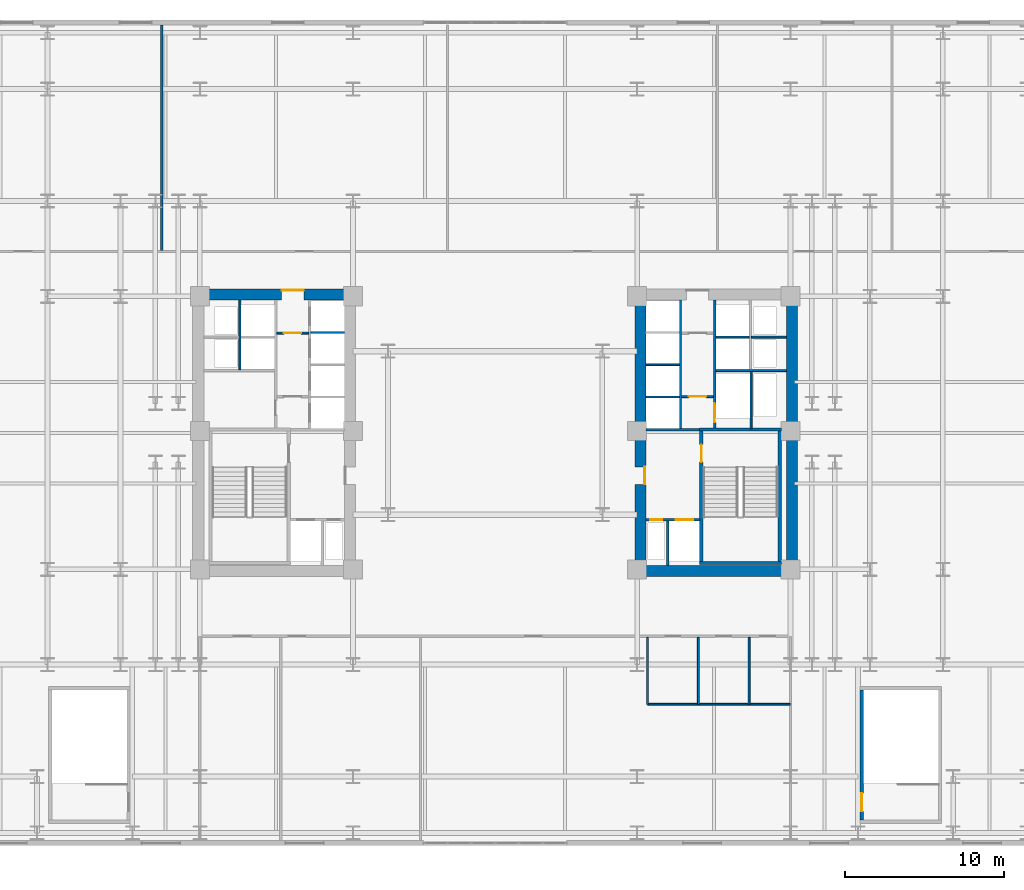
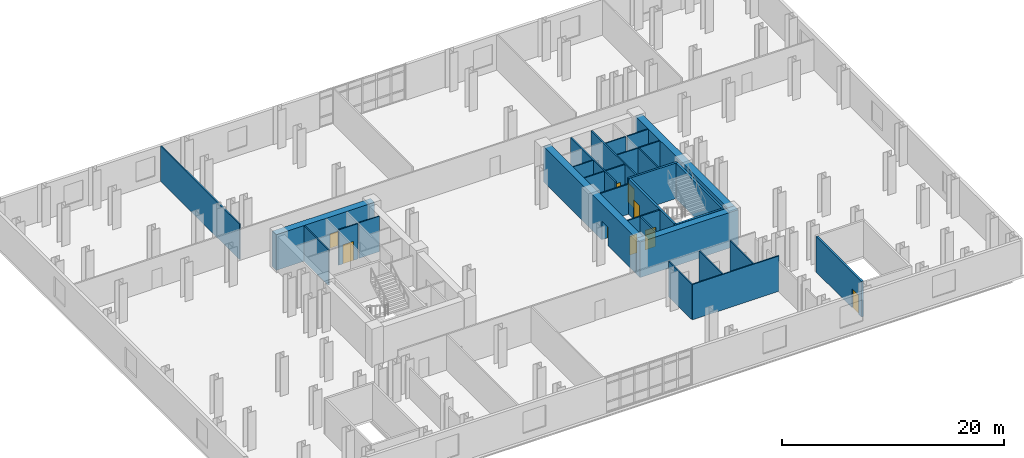
# One storey, part 9 of 13: 29 walls, 9 doors, 9 openings.
"""IFC4 building model written with IfcOpenShell, lengths in metres."""

from ifc_helpers import new_model, si_unit, direction, frame, frame_2d, origin, place, context, subcontext, project, spatial, rectangle, extrude, material, layer, layer_set, type_object, element, fill, save


model = new_model("IFC4")

# Units and contexts
model_context = context("Model", 3, precision=1e-05, world=origin(), true_north=direction((0.0, 1.0)))
body_context = subcontext(model_context, "Body", "Model", "MODEL_VIEW")
ifc_project = project(units=[si_unit("LENGTHUNIT", "METRE"), si_unit("AREAUNIT", "SQUARE_METRE"), si_unit("VOLUMEUNIT", "CUBIC_METRE"), si_unit("PLANEANGLEUNIT", "RADIAN"), si_unit("MASSUNIT", "GRAM", prefix="KILO")], contexts=[model_context])

# Site, building, storey
site_placement = place(None, origin())
site = spatial("IfcSite", under=ifc_project, at=site_placement, CompositionType="ELEMENT")
building_placement = place(site_placement, origin())
building = spatial("IfcBuilding", under=site, at=building_placement, Name="Velakula Bourse", CompositionType="ELEMENT")
storey_placement = place(building_placement, frame((0.0, 0.0, 22.800048828125)))
storey = spatial("IfcBuildingStorey", under=building, at=storey_placement, Name="L05", CompositionType="ELEMENT", Elevation=22.800048828125)

# Wall, opening, door
ifc_material_1 = material(Name="Concrete M50 (fck 50 MPa)", Category="concrete")
ifc_layer_1 = layer(ifc_material_1, 0.2099609375, Name="Concrete M50 (fck 50 MPa)", Category="concrete")
ifc_layer_set_1 = layer_set([ifc_layer_1], Name="Concrete M50 (fck 50 MPa)")
wall_type_1 = type_object("IfcWallType", Name="WL-CORE-210", PredefinedType="SHEAR", material=ifc_layer_set_1)
wall_1_placement = place(storey_placement, frame((12.9951171875, -8.10009765625, 0.0), z_axis=(0.0, 0.0, 1.0), x_axis=(0.0, 1.0, 0.0)))
wall_1 = element("IfcWall", 1, at=wall_1_placement, inside=storey, type_object=wall_type_1, Name="L05 Core E Stairwell Shear Wall IN", PredefinedType="SHEAR", context=body_context, shape_type="SweptSolid", body=[
    extrude(rectangle(XDim=8.2001953125, YDim=0.2099609375, at=frame_2d((4.10009765625, 0.0))), origin(), (0.0, 0.0, 1.0), 3.919921875),
])
opening_1_placement = place(wall_1_placement, frame((6.25, 0.0, 0.0)))
opening_1 = element("IfcOpeningElement", 2, at=opening_1_placement, cuts=wall_1, Name="Opening D-STE1", PredefinedType="OPENING", context=body_context, shape_type="SweptSolid", body=[
    extrude(rectangle(XDim=1.10009765625, YDim=2.14990234375, at=frame_2d((0.550048828125, 1.074951171875))), frame((0.0, 0.114990234375, 0.0), z_axis=(0.0, -1.0, 0.0), x_axis=(1.0, 0.0, 0.0)), (0.0, 0.0, 1.0), 0.22998046875),
])
ifc_material_2 = material(Name="Galvanised painted hollow steel fire door", Category="steel")
door_type_1 = type_object("IfcDoorType", Name="DR-FD120-1100x2150", OperationType="NOTDEFINED", PredefinedType="DOOR", material=ifc_material_2)
door_1_placement = place(opening_1_placement, origin())
door_1 = element("IfcDoor", 3, at=door_1_placement, inside=storey, type_object=door_type_1, Name="L05 Stair ST-E1 Fire Door", OperationType="SINGLE_SWING_RIGHT", OverallHeight=2.14990234375, OverallWidth=1.10009765625, PredefinedType="DOOR", context=body_context, shape_type="SweptSolid", body=[
    extrude(rectangle(XDim=1.10009765625, YDim=2.14990234375, at=frame_2d((0.550048828125, 1.074951171875))), frame((0.0, 0.02490234375, 0.0), z_axis=(0.0, -1.0, 0.0), x_axis=(1.0, 0.0, 0.0)), (0.0, 0.0, 1.0), 0.050048828125),
])
fill(opening_1, door_1)

# Walls
wall_2_placement = place(storey_placement, frame((17.925048828125, -8.10009765625, 0.0), z_axis=(0.0, 0.0, 1.0), x_axis=(0.0, 1.0, 0.0)))
element("IfcWall", 4, at=wall_2_placement, inside=storey, type_object=wall_type_1, Name="L05 Core E Stairwell Shear Wall OUT", PredefinedType="SHEAR", context=body_context, shape_type="SweptSolid", body=[
    extrude(rectangle(XDim=8.2001953125, YDim=0.2099609375, at=frame_2d((4.10009765625, 0.0))), origin(), (0.0, 0.0, 1.0), 3.919921875),
])
for number, where, z_axis, x_axis, name in (
    (5, (12.889892578125, -8.205078125, 0.0), (0.0, 0.0, 1.0), (1.0, 0.0, 0.0), "L05 Core E Stairwell Shear Wall S"),
    (6, (18.030029296875, 0.205078125, 0.0), (0.0, 0.0, 1.0), (-1.0, 0.0, 0.0), "L05 Core E Stairwell Shear Wall N"),
):
    element("IfcWall", number, at=place(storey_placement, frame(where, z_axis=z_axis, x_axis=x_axis)), inside=storey, type_object=wall_type_1, Name=name, PredefinedType="SHEAR", context=body_context, shape_type="SweptSolid", body=[
        extrude(rectangle(XDim=5.14013671875, YDim=0.2099609375, at=frame_2d((2.570068359375, 0.0))), origin(), (0.0, 0.0, 1.0), 3.919921875),
    ])

# Wall, opening, door
wall_3_placement = place(storey_placement, frame((23.094970703125, -24.39990234375, 0.0), z_axis=(0.0, 0.0, 1.0), x_axis=(0.0, 1.0, 0.0)))
wall_3 = element("IfcWall", 7, at=wall_3_placement, inside=storey, type_object=wall_type_1, Name="L05 Podium Stair ST-P2 Shear Wall W", PredefinedType="SHEAR", context=body_context, shape_type="SweptSolid", body=[
    extrude(rectangle(XDim=8.199951171875, YDim=0.2099609375, at=frame_2d((4.10009765625, 0.0))), origin(), (0.0, 0.0, 1.0), 3.919921875),
])
opening_2_placement = place(wall_3_placement, frame((0.550048828125, 0.0, 0.0)))
opening_2 = element("IfcOpeningElement", 8, at=opening_2_placement, cuts=wall_3, Name="Opening D-P2", PredefinedType="OPENING", context=body_context, shape_type="SweptSolid", body=[
    extrude(rectangle(XDim=1.14990234375, YDim=2.10009765625, at=frame_2d((0.574951171875, 1.050048828125))), frame((0.0, 0.114990234375, 0.0), z_axis=(0.0, -1.0, 0.0), x_axis=(1.0, 0.0, 0.0)), (0.0, 0.0, 1.0), 0.22998046875),
])
door_type_2 = type_object("IfcDoorType", Name="DR-FD120-1150x2100", OperationType="NOTDEFINED", PredefinedType="DOOR", material=ifc_material_2)
door_2_placement = place(opening_2_placement, origin())
door_2 = element("IfcDoor", 9, at=door_2_placement, inside=storey, type_object=door_type_2, Name="L05 Stair ST-P2 Fire Door", OperationType="SINGLE_SWING_RIGHT", OverallHeight=2.10009765625, OverallWidth=1.14990234375, PredefinedType="DOOR", context=body_context, shape_type="SweptSolid", body=[
    extrude(rectangle(XDim=1.14990234375, YDim=2.10009765625, at=frame_2d((0.574951171875, 1.050048828125))), frame((0.0, 0.02490234375, 0.0), z_axis=(0.0, -1.0, 0.0), x_axis=(1.0, 0.0, 0.0)), (0.0, 0.0, 1.0), 0.050048828125),
])
fill(opening_2, door_2)

ifc_material_3 = material(Name="Concrete M70 (fck 70 MPa)", Category="concrete")
ifc_layer_2 = layer(ifc_material_3, 0.699951171875, Name="Concrete M70 (fck 70 MPa)", Category="concrete")
ifc_layer_set_2 = layer_set([ifc_layer_2], Name="Concrete M70 (fck 70 MPa)")
wall_type_2 = type_object("IfcWallType", Name="WL-CORE-700", PredefinedType="SHEAR", material=ifc_layer_set_2)
wall_4_placement = place(storey_placement, frame((-19.050048828125, 8.699951171875, 0.0), z_axis=(0.0, 0.0, 1.0), x_axis=(1.0, 0.0, 0.0)))
wall_4 = element("IfcWall", 10, at=wall_4_placement, inside=storey, type_object=wall_type_2, Name="L05 Core W Shear Wall N", PredefinedType="SHEAR", context=body_context, shape_type="SweptSolid", body=[
    extrude(rectangle(XDim=10.25, YDim=0.699951171875, at=frame_2d((5.125, 0.0))), origin(), (0.0, 0.0, 1.0), 3.919921875),
])
opening_3_placement = place(wall_4_placement, frame((5.60009765625, 0.0, 0.0)))
opening_3 = element("IfcOpeningElement", 11, at=opening_3_placement, cuts=wall_4, Name="Opening D-LLW", PredefinedType="OPENING", context=body_context, shape_type="SweptSolid", body=[
    extrude(rectangle(XDim=1.39990234375, YDim=2.050048828125, at=frame_2d((0.699951171875, 1.02490234375))), frame((0.0, 0.35986328125, 0.0), z_axis=(0.0, -1.0, 0.0), x_axis=(1.0, 0.0, 0.0)), (0.0, 0.0, 1.0), 0.719970703125),
])
ifc_material_4 = material(Name="Fire-rated hardwood flush architectural door", Category="wood")
door_type_3 = type_object("IfcDoorType", Name="DR-DBL-FD60-1400", OperationType="DOUBLE_DOOR_SINGLE_SWING", PredefinedType="DOOR", material=ifc_material_4)
door_3_placement = place(opening_3_placement, origin())
door_3 = element("IfcDoor", 12, at=door_3_placement, inside=storey, type_object=door_type_3, Name="L05 Core W Lift Lobby Corridor Double Door", OperationType="DOUBLE_DOOR_SINGLE_SWING", OverallHeight=2.050048828125, OverallWidth=1.39990234375, PredefinedType="DOOR", context=body_context, shape_type="SweptSolid", body=[
    extrude(rectangle(XDim=1.39990234375, YDim=2.050048828125, at=frame_2d((0.699951171875, 1.02490234375))), frame((0.0, 0.294921875, 0.0), z_axis=(0.0, -1.0, 0.0), x_axis=(1.0, 0.0, 0.0)), (0.0, 0.0, 1.0), 0.050048828125),
])
fill(opening_3, door_3)

# Wall
wall_5_placement = place(storey_placement, frame((8.800048828125, -8.699951171875, 0.0), z_axis=(0.0, 0.0, 1.0), x_axis=(1.0, 0.0, 0.0)))
element("IfcWall", 13, at=wall_5_placement, inside=storey, type_object=wall_type_2, Name="L05 Core E Shear Wall S", PredefinedType="SHEAR", context=body_context, shape_type="SweptSolid", body=[
    extrude(rectangle(XDim=10.25, YDim=0.699951171875, at=frame_2d((5.125, 0.0))), origin(), (0.0, 0.0, 1.0), 3.919921875),
])

# Wall, opening, door
wall_6_placement = place(storey_placement, frame((9.14990234375, -8.35009765625, 0.0), z_axis=(0.0, 0.0, 1.0), x_axis=(0.0, 1.0, 0.0)))
wall_6 = element("IfcWall", 14, at=wall_6_placement, inside=storey, type_object=wall_type_2, Name="L05 Core E Shear Wall W", PredefinedType="SHEAR", context=body_context, shape_type="SweptSolid", body=[
    extrude(rectangle(XDim=16.7001953125, YDim=0.699951171875, at=frame_2d((8.35009765625, 0.0))), origin(), (0.0, 0.0, 1.0), 3.919921875),
])
opening_4_placement = place(wall_6_placement, frame((5.10009765625, 0.0, 0.0)))
opening_4 = element("IfcOpeningElement", 15, at=opening_4_placement, cuts=wall_6, Name="Opening D-FLE", PredefinedType="OPENING", context=body_context, shape_type="SweptSolid", body=[
    extrude(rectangle(XDim=1.10009765625, YDim=2.080078125, at=frame_2d((0.550048828125, 1.0400390625))), frame((0.0, 0.35986328125, 0.0), z_axis=(0.0, -1.0, 0.0), x_axis=(1.0, 0.0, 0.0)), (0.0, 0.0, 1.0), 0.719970703125),
])
door_type_4 = type_object("IfcDoorType", Name="DR-FD120-1100", OperationType="NOTDEFINED", PredefinedType="DOOR", material=ifc_material_2)
door_4_placement = place(opening_4_placement, origin())
door_4 = element("IfcDoor", 16, at=door_4_placement, inside=storey, type_object=door_type_4, Name="L05 Firefighting Lobby E Corridor Fire Door", OperationType="SINGLE_SWING_RIGHT", OverallHeight=2.080078125, OverallWidth=1.10009765625, PredefinedType="DOOR", context=body_context, shape_type="SweptSolid", body=[
    extrude(rectangle(XDim=1.10009765625, YDim=2.080078125, at=frame_2d((0.550048828125, 1.0400390625))), frame((0.0, -0.2548828125, 0.0), z_axis=(0.0, -1.0, 0.0), x_axis=(1.0, 0.0, 0.0)), (0.0, 0.0, 1.0), 0.050048828125),
])
fill(opening_4, door_4)

# Wall
wall_7_placement = place(storey_placement, frame((18.699951171875, -8.35009765625, 0.0), z_axis=(0.0, 0.0, 1.0), x_axis=(0.0, 1.0, 0.0)))
element("IfcWall", 17, at=wall_7_placement, inside=storey, type_object=wall_type_2, Name="L05 Core E Shear Wall E", PredefinedType="SHEAR", context=body_context, shape_type="SweptSolid", body=[
    extrude(rectangle(XDim=16.7001953125, YDim=0.699951171875, at=frame_2d((8.35009765625, 0.0))), origin(), (0.0, 0.0, 1.0), 3.919921875),
])

# Wall, opening, door
ifc_material_5 = material(Name="Fire-rated double-layer gypsum drywall partition", Category="gypsum")
ifc_layer_3 = layer(ifc_material_5, 0.1201171875, Name="Fire-rated double-layer gypsum drywall partition", Category="gypsum")
ifc_layer_set_3 = layer_set([ifc_layer_3], Name="Fire-rated double-layer gypsum drywall partition")
wall_type_3 = type_object("IfcWallType", Name="WL-PART-120", PredefinedType="STANDARD", material=ifc_layer_set_3)
wall_8_placement = place(storey_placement, frame((-13.75, 6.280029296875, 0.0), z_axis=(0.0, 0.0, 1.0), x_axis=(1.0, 0.0, 0.0)))
wall_8 = element("IfcWall", 18, at=wall_8_placement, inside=storey, type_object=wall_type_3, Name="L05 Interior Partition WL-CRW-L05-LL-K3B", PredefinedType="STANDARD", context=body_context, shape_type="SweptSolid", body=[
    extrude(rectangle(XDim=2.0, YDim=0.1201171875, at=frame_2d((1.0, 0.0))), origin(), (0.0, 0.0, 1.0), 3.89990234375),
])
opening_5_placement = place(wall_8_placement, frame((0.449951171875, 0.0, 0.0)))
opening_5 = element("IfcOpeningElement", 19, at=opening_5_placement, cuts=wall_8, Name="Opening D-LK3", PredefinedType="OPENING", context=body_context, shape_type="SweptSolid", body=[
    extrude(rectangle(XDim=1.10009765625, YDim=2.10009765625, at=frame_2d((0.550048828125, 1.050048828125))), frame((0.0, 0.070068359375, 0.0), z_axis=(0.0, -1.0, 0.0), x_axis=(1.0, 0.0, 0.0)), (0.0, 0.0, 1.0), 0.14013671875),
])
door_type_5 = type_object("IfcDoorType", Name="DR-FD60-1100x2100", OperationType="NOTDEFINED", PredefinedType="DOOR", material=ifc_material_4)
door_5_placement = place(opening_5_placement, origin())
door_5 = element("IfcDoor", 20, at=door_5_placement, inside=storey, type_object=door_type_5, Name="L05 Core W Lift Lobby Vestibule Door B", OperationType="SINGLE_SWING_RIGHT", OverallHeight=2.10009765625, OverallWidth=1.10009765625, PredefinedType="DOOR", context=body_context, shape_type="SweptSolid", body=[
    extrude(rectangle(XDim=1.10009765625, YDim=2.10009765625, at=frame_2d((0.550048828125, 1.050048828125))), frame((0.0, 0.02490234375, 0.0), z_axis=(0.0, -1.0, 0.0), x_axis=(1.0, 0.0, 0.0)), (0.0, 0.0, 1.0), 0.050048828125),
])
fill(opening_5, door_5)

# Walls
wall_9_placement = place(storey_placement, frame((-11.60009765625, 6.31494140625, 0.0), z_axis=(0.0, 0.0, 1.0), x_axis=(1.0, 0.0, 0.0)))
element("IfcWall", 21, at=wall_9_placement, inside=storey, type_object=wall_type_3, Name="L05 Interior Partition WL-CRW-L05-BDIV-2", PredefinedType="STANDARD", context=body_context, shape_type="SweptSolid", body=[
    extrude(rectangle(XDim=2.10009765625, YDim=0.110107421875, at=frame_2d((1.050048828125, 0.0))), origin(), (0.0, 0.0, 1.0), 3.89990234375),
])
wall_10_placement = place(storey_placement, frame((-16.074951171875, 3.97998046875, 0.0), z_axis=(0.0, 0.0, 1.0), x_axis=(0.0, 1.0, 0.0)))
element("IfcWall", 22, at=wall_10_placement, inside=storey, type_object=wall_type_3, Name="L05 Interior Partition WL-CRW-L05-RIS-F", PredefinedType="STANDARD", context=body_context, shape_type="SweptSolid", body=[
    extrude(rectangle(XDim=4.3701171875, YDim=0.1201171875, at=frame_2d((2.18505859375, 0.0))), origin(), (0.0, 0.0, 1.0), 3.89990234375),
])

# Wall, opening, door
wall_11_placement = place(storey_placement, frame((11.75, 2.280029296875, 0.0), z_axis=(0.0, 0.0, 1.0), x_axis=(1.0, 0.0, 0.0)))
wall_11 = element("IfcWall", 23, at=wall_11_placement, inside=storey, type_object=wall_type_3, Name="L05 Interior Partition WL-CRE-L05-LL-K3A", PredefinedType="STANDARD", context=body_context, shape_type="SweptSolid", body=[
    extrude(rectangle(XDim=2.0, YDim=0.1201171875, at=frame_2d((1.0, 0.0))), origin(), (0.0, 0.0, 1.0), 3.89990234375),
])
opening_6_placement = place(wall_11_placement, frame((0.449951171875, 0.0, 0.0)))
opening_6 = element("IfcOpeningElement", 24, at=opening_6_placement, cuts=wall_11, Name="Opening D-LK3", PredefinedType="OPENING", context=body_context, shape_type="SweptSolid", body=[
    extrude(rectangle(XDim=1.10009765625, YDim=2.10009765625, at=frame_2d((0.550048828125, 1.050048828125))), frame((0.0, 0.070068359375, 0.0), z_axis=(0.0, -1.0, 0.0), x_axis=(1.0, 0.0, 0.0)), (0.0, 0.0, 1.0), 0.14013671875),
])
door_6_placement = place(opening_6_placement, origin())
door_6 = element("IfcDoor", 25, at=door_6_placement, inside=storey, type_object=door_type_5, Name="L05 Core E Lift Lobby Vestibule Door A", OperationType="SINGLE_SWING_RIGHT", OverallHeight=2.10009765625, OverallWidth=1.10009765625, PredefinedType="DOOR", context=body_context, shape_type="SweptSolid", body=[
    extrude(rectangle(XDim=1.10009765625, YDim=2.10009765625, at=frame_2d((0.550048828125, 1.050048828125))), frame((0.0, 0.02490234375, 0.0), z_axis=(0.0, -1.0, 0.0), x_axis=(1.0, 0.0, 0.0)), (0.0, 0.0, 1.0), 0.050048828125),
])
fill(opening_6, door_6)

# Walls
for number, where, z_axis, x_axis, name in (
    (26, (9.5, 2.2548828125, 0.0), (0.0, 0.0, 1.0), (1.0, 0.0, 0.0), "L05 Interior Partition WL-CRE-L05-BDIV-0"),
    (27, (9.5, 4.284912109375, 0.0), (0.0, 0.0, 1.0), (1.0, 0.0, 0.0), "L05 Interior Partition WL-CRE-L05-BDIV-1"),
):
    element("IfcWall", number, at=place(storey_placement, frame(where, z_axis=z_axis, x_axis=x_axis)), inside=storey, type_object=wall_type_3, Name=name, PredefinedType="STANDARD", context=body_context, shape_type="SweptSolid", body=[
        extrude(rectangle(XDim=2.10009765625, YDim=0.110107421875, at=frame_2d((1.050048828125, 0.0))), origin(), (0.0, 0.0, 1.0), 3.89990234375),
    ])
wall_12_placement = place(storey_placement, frame((13.89990234375, 3.919921875, 0.0), z_axis=(0.0, 0.0, 1.0), x_axis=(1.0, 0.0, 0.0)))
element("IfcWall", 28, at=wall_12_placement, inside=storey, type_object=wall_type_3, Name="L05 Interior Partition WL-CRE-L05-HI-S", PredefinedType="STANDARD", context=body_context, shape_type="SweptSolid", body=[
    extrude(rectangle(XDim=4.4501953125, YDim=0.1201171875, at=frame_2d((2.22509765625, 0.0))), origin(), (0.0, 0.0, 1.0), 3.89990234375),
])
wall_13_placement = place(storey_placement, frame((16.14990234375, 6.030029296875, 0.0), z_axis=(0.0, 0.0, 1.0), x_axis=(1.0, 0.0, 0.0)))
element("IfcWall", 29, at=wall_13_placement, inside=storey, type_object=wall_type_3, Name="L05 Interior Partition WL-CRE-L05-RIS-MID", PredefinedType="STANDARD", context=body_context, shape_type="SweptSolid", body=[
    extrude(rectangle(XDim=2.2001953125, YDim=0.1201171875, at=frame_2d((1.10009765625, 0.0))), origin(), (0.0, 0.0, 1.0), 3.89990234375),
])
wall_14_placement = place(storey_placement, frame((13.89990234375, 6.030029296875, 0.0), z_axis=(0.0, 0.0, 1.0), x_axis=(1.0, 0.0, 0.0)))
element("IfcWall", 30, at=wall_14_placement, inside=storey, type_object=wall_type_3, Name="L05 Interior Partition WL-CRE-L05-HI-DIV", PredefinedType="STANDARD", context=body_context, shape_type="SweptSolid", body=[
    extrude(rectangle(XDim=2.10009765625, YDim=0.1201171875, at=frame_2d((1.050048828125, 0.0))), origin(), (0.0, 0.0, 1.0), 3.89990234375),
])
wall_15_placement = place(storey_placement, frame((16.125, 0.27001953125, 0.0), z_axis=(0.0, 0.0, 1.0), x_axis=(0.0, 1.0, 0.0)))
element("IfcWall", 31, at=wall_15_placement, inside=storey, type_object=wall_type_3, Name="L05 Interior Partition WL-CRE-L05-SVL-E", PredefinedType="STANDARD", context=body_context, shape_type="SweptSolid", body=[
    extrude(rectangle(XDim=3.590087890625, YDim=0.1201171875, at=frame_2d((1.794921875, 0.0))), origin(), (0.0, 0.0, 1.0), 3.89990234375),
])
ifc_layer_4 = layer(ifc_material_5, 0.139892578125, Name="Fire-rated double-layer gypsum drywall partition", Category="gypsum")
ifc_layer_set_4 = layer_set([ifc_layer_4], Name="Fire-rated double-layer gypsum drywall partition")
wall_type_4 = type_object("IfcWallType", Name="WL-PART-140", PredefinedType="STANDARD", material=ifc_layer_set_4)
wall_16_placement = place(storey_placement, frame((-21.0, 11.489990234375, 0.0), z_axis=(0.0, 0.0, 1.0), x_axis=(0.0, 1.0, 0.0)))
element("IfcWall", 32, at=wall_16_placement, inside=storey, type_object=wall_type_4, Name="L05 Interior Partition WL-POD-L05-ND1", PredefinedType="STANDARD", context=body_context, shape_type="SweptSolid", body=[
    extrude(rectangle(XDim=14.18994140625, YDim=0.139892578125, at=frame_2d((7.094970703125, 0.0))), origin(), (0.0, 0.0, 1.0), 3.89990234375),
])
wall_17_placement = place(storey_placement, frame((9.60009765625, -17.10009765625, 0.0), z_axis=(0.0, 0.0, 1.0), x_axis=(1.0, 0.0, 0.0)))
element("IfcWall", 33, at=wall_17_placement, inside=storey, type_object=wall_type_4, Name="L05 Interior Partition WL-POD-L05-WC-BACK", PredefinedType="STANDARD", context=body_context, shape_type="SweptSolid", body=[
    extrude(rectangle(XDim=9.0, YDim=0.1201171875, at=frame_2d((4.5, 0.0))), origin(), (0.0, 0.0, 1.0), 3.89990234375),
])
for number, where, z_axis, x_axis, name in (
    (34, (9.60009765625, -17.10009765625, 0.0), (0.0, 0.0, 1.0), (0.0, 1.0, 0.0), "L05 Interior Partition WL-POD-L05-WC-V1"),
    (35, (12.800048828125, -17.10009765625, 0.0), (0.0, 0.0, 1.0), (0.0, 1.0, 0.0), "L05 Interior Partition WL-POD-L05-WC-V2"),
    (36, (16.0, -17.10009765625, 0.0), (0.0, 0.0, 1.0), (0.0, 1.0, 0.0), "L05 Interior Partition WL-POD-L05-WC-V3"),
):
    element("IfcWall", number, at=place(storey_placement, frame(where, z_axis=z_axis, x_axis=x_axis)), inside=storey, type_object=wall_type_4, Name=name, PredefinedType="STANDARD", context=body_context, shape_type="SweptSolid", body=[
        extrude(rectangle(XDim=4.210205078125, YDim=0.1201171875, at=frame_2d((2.10498046875, 0.0))), origin(), (0.0, 0.0, 1.0), 3.89990234375),
    ])

# Wall, openings, doors
ifc_material_6 = material(Name="Autoclaved aerated concrete blockwork masonry", Category="masonry")
ifc_layer_5 = layer(ifc_material_6, 0.14990234375, Name="Autoclaved aerated concrete blockwork masonry", Category="masonry")
ifc_layer_set_5 = layer_set([ifc_layer_5], Name="Autoclaved aerated concrete blockwork masonry")
wall_type_5 = type_object("IfcWallType", Name="WL-SHAFT-150", PredefinedType="STANDARD", material=ifc_layer_set_5)
wall_18_placement = place(storey_placement, frame((9.5, -5.47509765625, 0.0), z_axis=(0.0, 0.0, 1.0), x_axis=(1.0, 0.0, 0.0)))
wall_18 = element("IfcWall", 37, at=wall_18_placement, inside=storey, type_object=wall_type_5, Name="L05 Interior Partition WL-CRE-L05-FFL-N", PredefinedType="STANDARD", context=body_context, shape_type="SweptSolid", body=[
    extrude(rectangle(XDim=3.39501953125, YDim=0.14990234375, at=frame_2d((1.697509765625, 0.0))), origin(), (0.0, 0.0, 1.0), 3.89990234375),
])
opening_7_placement = place(wall_18_placement, frame((1.875, 0.0, 0.0)))
opening_7 = element("IfcOpeningElement", 38, at=opening_7_placement, cuts=wall_18, Name="Opening LD-FFL-2", PredefinedType="OPENING", context=body_context, shape_type="SweptSolid", body=[
    extrude(rectangle(XDim=1.10009765625, YDim=2.14990234375, at=frame_2d((0.550048828125, 1.074951171875))), frame((0.0, 0.0849609375, 0.0), z_axis=(0.0, -1.0, 0.0), x_axis=(1.0, 0.0, 0.0)), (0.0, 0.0, 1.0), 0.169921875),
])
opening_8_placement = place(wall_18_placement, frame((0.27490234375, 0.0, 0.0)))
opening_8 = element("IfcOpeningElement", 39, at=opening_8_placement, cuts=wall_18, Name="Opening D-RS1", PredefinedType="OPENING", context=body_context, shape_type="SweptSolid", body=[
    extrude(rectangle(XDim=0.75, YDim=2.050048828125, at=frame_2d((0.375, 1.02490234375))), frame((0.0, 0.0849609375, 0.0), z_axis=(0.0, -1.0, 0.0), x_axis=(1.0, 0.0, 0.0)), (0.0, 0.0, 1.0), 0.169921875),
])
door_type_6 = type_object("IfcDoorType", Name="DR-RISER-800", OperationType="NOTDEFINED", PredefinedType="DOOR", material=ifc_material_2)
door_7_placement = place(opening_8_placement, origin())
door_7 = element("IfcDoor", 40, at=door_7_placement, inside=storey, type_object=door_type_6, Name="L05 Fire Riser Access Door", OperationType="SINGLE_SWING_LEFT", OverallHeight=2.050048828125, OverallWidth=0.75, PredefinedType="DOOR", context=body_context, shape_type="SweptSolid", body=[
    extrude(rectangle(XDim=0.75, YDim=2.050048828125, at=frame_2d((0.375, 1.02490234375))), frame((0.0, 0.02490234375, 0.0), z_axis=(0.0, -1.0, 0.0), x_axis=(1.0, 0.0, 0.0)), (0.0, 0.0, 1.0), 0.050048828125),
])
fill(opening_8, door_7)
ifc_material_7 = material(Name="Brushed grade 316 stainless steel", Category="steel")
door_type_7 = type_object("IfcDoorType", Name="DR-SLIDE-FFL-1100", OperationType="DOUBLE_DOOR_SLIDING", PredefinedType="DOOR", material=ifc_material_7)
door_8_placement = place(opening_7_placement, origin())
door_8 = element("IfcDoor", 41, at=door_8_placement, inside=storey, type_object=door_type_7, Name="L05 Firefighting Lift FFL-2 Sliding Landing Door", OperationType="DOUBLE_DOOR_SLIDING", OverallHeight=2.14990234375, OverallWidth=1.10009765625, PredefinedType="DOOR", context=body_context, shape_type="SweptSolid", body=[
    extrude(rectangle(XDim=1.10009765625, YDim=2.14990234375, at=frame_2d((0.550048828125, 1.074951171875))), frame((0.0, 0.02490234375, 0.0), z_axis=(0.0, -1.0, 0.0), x_axis=(1.0, 0.0, 0.0)), (0.0, 0.0, 1.0), 0.050048828125),
])
fill(opening_7, door_8)

# Walls
wall_19_placement = place(storey_placement, frame((10.875, -8.35009765625, 0.0), z_axis=(0.0, 0.0, 1.0), x_axis=(0.0, 1.0, 0.0)))
element("IfcWall", 42, at=wall_19_placement, inside=storey, type_object=wall_type_5, Name="L05 Interior Partition WL-CRE-L05-FR-DIV", PredefinedType="STANDARD", context=body_context, shape_type="SweptSolid", body=[
    extrude(rectangle(XDim=2.800048828125, YDim=0.14990234375, at=frame_2d((1.39990234375, 0.0))), origin(), (0.0, 0.0, 1.0), 3.89990234375),
])
wall_20_placement = place(storey_placement, frame((9.5, 0.18994140625, 0.0), z_axis=(0.0, 0.0, 1.0), x_axis=(1.0, 0.0, 0.0)))
element("IfcWall", 43, at=wall_20_placement, inside=storey, type_object=wall_type_5, Name="L05 Interior Partition WL-CRE-L05-FF-TOP", PredefinedType="STANDARD", context=body_context, shape_type="SweptSolid", body=[
    extrude(rectangle(XDim=3.389892578125, YDim=0.14990234375, at=frame_2d((1.69482421875, 0.0))), origin(), (0.0, 0.0, 1.0), 3.294921875),
])
wall_21_placement = place(storey_placement, frame((11.675048828125, 0.27001953125, 0.0), z_axis=(0.0, 0.0, 1.0), x_axis=(0.0, 1.0, 0.0)))
element("IfcWall", 44, at=wall_21_placement, inside=storey, type_object=wall_type_5, Name="L05 Interior Partition WL-CRE-L05-BANK-F", PredefinedType="STANDARD", context=body_context, shape_type="SweptSolid", body=[
    extrude(rectangle(XDim=8.080078125, YDim=0.14990234375, at=frame_2d((4.0400390625, 0.0))), origin(), (0.0, 0.0, 1.0), 3.89990234375),
])

# Wall, opening, door
wall_22_placement = place(storey_placement, frame((13.824951171875, 0.27001953125, 0.0), z_axis=(0.0, 0.0, 1.0), x_axis=(0.0, 1.0, 0.0)))
wall_22 = element("IfcWall", 45, at=wall_22_placement, inside=storey, type_object=wall_type_5, Name="L05 Interior Partition WL-CRE-L05-OUT-F", PredefinedType="STANDARD", context=body_context, shape_type="SweptSolid", body=[
    extrude(rectangle(XDim=8.080078125, YDim=0.14990234375, at=frame_2d((4.0400390625, 0.0))), origin(), (0.0, 0.0, 1.0), 3.89990234375),
])
opening_9_placement = place(wall_22_placement, frame((0.3798828125, 0.0, 0.0)))
opening_9 = element("IfcOpeningElement", 46, at=opening_9_placement, cuts=wall_22, Name="Opening LD-SVL1", PredefinedType="OPENING", context=body_context, shape_type="SweptSolid", body=[
    extrude(rectangle(XDim=1.199951171875, YDim=2.10009765625, at=frame_2d((0.60009765625, 1.050048828125))), frame((0.0, 0.0849609375, 0.0), z_axis=(0.0, -1.0, 0.0), x_axis=(1.0, 0.0, 0.0)), (0.0, 0.0, 1.0), 0.169921875),
])
door_type_8 = type_object("IfcDoorType", Name="DR-SLIDE-LD-1200", OperationType="DOUBLE_DOOR_SLIDING", PredefinedType="DOOR", material=ifc_material_7)
door_9_placement = place(opening_9_placement, origin())
door_9 = element("IfcDoor", 47, at=door_9_placement, inside=storey, type_object=door_type_8, Name="L05 Service Lift SVL-1 Sliding Landing Door", OperationType="DOUBLE_DOOR_SLIDING", OverallHeight=2.10009765625, OverallWidth=1.199951171875, PredefinedType="DOOR", context=body_context, shape_type="SweptSolid", body=[
    extrude(rectangle(XDim=1.199951171875, YDim=2.10009765625, at=frame_2d((0.60009765625, 1.050048828125))), frame((0.0, 0.02490234375, 0.0), z_axis=(0.0, -1.0, 0.0), x_axis=(1.0, 0.0, 0.0)), (0.0, 0.0, 1.0), 0.050048828125),
])
fill(opening_9, door_9)

save(model, "model.ifc")
